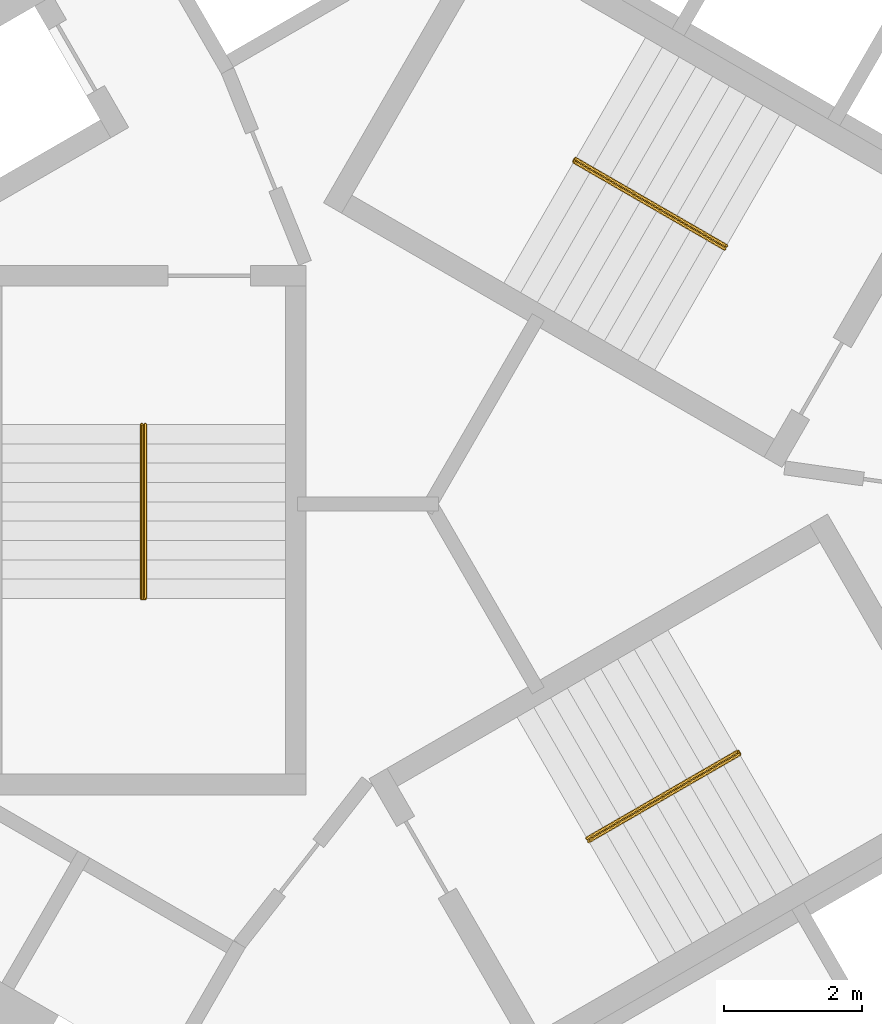
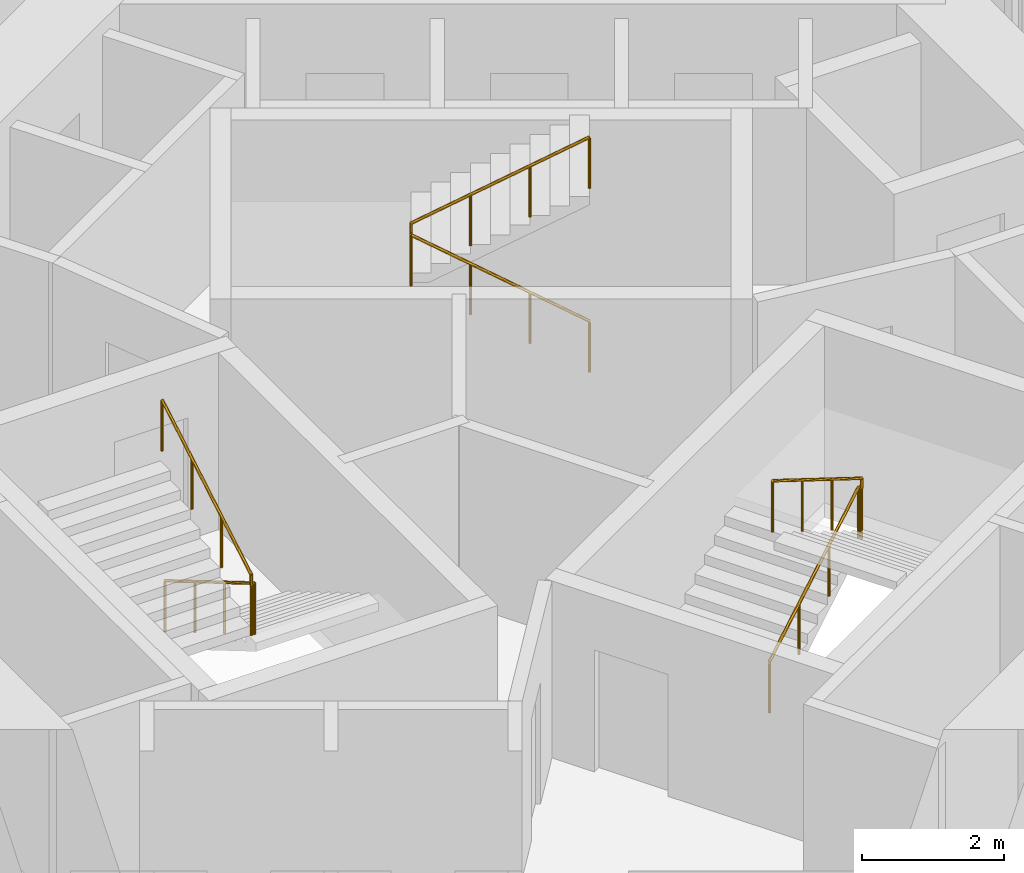
# One storey, part 12 of 12: 3 railings.
"""IFC4 building model written with IfcOpenShell, lengths in metres."""

from ifc_helpers import new_model, si_unit, direction, frame, origin, origin_2d, place, context, subcontext, project, spatial, circle, extrude, material, type_object, element, save


model = new_model("IFC4")

# Units and contexts
model_context = context("Model", 3, precision=1e-05, world=origin(), true_north=direction((0.0, 1.0)))
body_context = subcontext(model_context, "Body", "Model", "MODEL_VIEW")
ifc_project = project(units=[si_unit("LENGTHUNIT", "METRE"), si_unit("AREAUNIT", "SQUARE_METRE"), si_unit("VOLUMEUNIT", "CUBIC_METRE"), si_unit("PLANEANGLEUNIT", "RADIAN"), si_unit("MASSUNIT", "GRAM", prefix="KILO")], contexts=[model_context])

# Site, building, storey
site_placement = place(None, origin())
site = spatial("IfcSite", under=ifc_project, at=site_placement, CompositionType="ELEMENT")
building_placement = place(site_placement, origin())
building = spatial("IfcBuilding", under=site, at=building_placement, Name="Vanh Sen Convention Tower", CompositionType="ELEMENT")
storey_placement = place(building_placement, frame((0.0, 0.0, 106.699951171875)))
storey = spatial("IfcBuildingStorey", under=building, at=storey_placement, Name="L25", CompositionType="ELEMENT", Elevation=106.699951171875)

# Railings
ifc_material = material(Name="Stainless steel handrail", Category="steel")
railing_type = type_object("IfcRailingType", Name="Stair handrail 900", PredefinedType="HANDRAIL", material=ifc_material)
railing_1_placement = place(storey_placement, frame((3.45849609375, 3.690185546875, 0.1650390625)))
element("IfcRailing", 1, at=railing_1_placement, inside=storey, type_object=railing_type, Name="Stair handrail ST1 L25", PredefinedType="HANDRAIL", context=body_context, shape_type="SweptSolid", body=[
    extrude(circle(Radius=0.02392578125, at=origin_2d()), frame((0.0, 0.0, 0.8759765625), z_axis=(-0.746134546661, 0.430738299252, 0.507688640642), x_axis=(-0.499962843328, -0.866046855136, 0.0)), (0.0, 0.0, 1.0), 2.92529296875),
    extrude(circle(Radius=0.02392578125, at=origin_2d()), frame((-2.1826171875, 1.260009765625, 2.36083984375), z_axis=(0.502959906984, 0.86430974307, 0.0), x_axis=(-0.86430974307, 0.502959906984, 0.0)), (0.0, 0.0, 1.0), 0.050048828125),
    extrude(circle(Radius=0.02392578125, at=origin_2d()), frame((-2.157470703125, 1.30322265625, 2.36083984375), z_axis=(0.0, 0.0, 1.0), x_axis=(1.0, 0.0, 0.0)), (0.0, 0.0, 1.0), 0.164794921875),
    extrude(circle(Radius=0.02392578125, at=origin_2d()), frame((-2.157470703125, 1.30322265625, 2.52587890625), z_axis=(0.746097546679, -0.430765123438, 0.507720256902), x_axis=(0.500004791531, 0.866022637375, 0.0)), (0.0, 0.0, 1.0), 2.925048828125),
    extrude(circle(Radius=0.02099609375, at=origin_2d()), origin(), (0.0, 0.0, 1.0), 0.851806640625),
    extrude(circle(Radius=0.02099609375, at=origin_2d()), frame((-0.7275390625, 0.419921875, 0.4951171875)), (0.0, 0.0, 1.0), 0.851806640625),
    extrude(circle(Radius=0.02099609375, at=origin_2d()), frame((-1.455078125, 0.840087890625, 0.989990234375)), (0.0, 0.0, 1.0), 0.851806640625),
    extrude(circle(Radius=0.02099609375, at=origin_2d()), frame((-2.1826171875, 1.260009765625, 1.485107421875)), (0.0, 0.0, 1.0), 0.851806640625),
    extrude(circle(Radius=0.02099609375, at=origin_2d()), frame((-2.157470703125, 1.30322265625, 1.485107421875)), (0.0, 0.0, 1.0), 0.851806640625),
    extrude(circle(Radius=0.02099609375, at=origin_2d()), frame((-2.157470703125, 1.30322265625, 1.64990234375)), (0.0, 0.0, 1.0), 0.851806640625),
    extrude(circle(Radius=0.02099609375, at=origin_2d()), frame((-1.429931640625, 0.88330078125, 2.14501953125)), (0.0, 0.0, 1.0), 0.851806640625),
    extrude(circle(Radius=0.02099609375, at=origin_2d()), frame((-0.70263671875, 0.463134765625, 2.639892578125)), (0.0, 0.0, 1.0), 0.851806640625),
    extrude(circle(Radius=0.02099609375, at=origin_2d()), frame((0.02490234375, 0.043212890625, 3.135009765625)), (0.0, 0.0, 1.0), 0.851806640625),
])
railing_2_placement = place(storey_placement, frame((-4.925048828125, 1.14990234375, 0.1650390625)))
element("IfcRailing", 2, at=railing_2_placement, inside=storey, type_object=railing_type, Name="Stair handrail ST2 L25", PredefinedType="HANDRAIL", context=body_context, shape_type="SweptSolid", body=[
    extrude(circle(Radius=0.02392578125, at=origin_2d()), frame((0.0, 0.0, 0.8759765625), z_axis=(0.0, -0.86152411907, 0.507716645641), x_axis=(1.0, 0.0, 0.0)), (0.0, 0.0, 1.0), 2.925048828125),
    extrude(circle(Radius=0.02392578125, at=origin_2d()), frame((0.0, -2.52001953125, 2.36083984375), z_axis=(-1.0, 0.0, 0.0), x_axis=(0.0, -1.0, 0.0)), (0.0, 0.0, 1.0), 0.050048828125),
    extrude(circle(Radius=0.02392578125, at=origin_2d()), frame((-0.050048828125, -2.52001953125, 2.36083984375), z_axis=(0.0, 0.0, 1.0), x_axis=(1.0, 0.0, 0.0)), (0.0, 0.0, 1.0), 0.164794921875),
    extrude(circle(Radius=0.02392578125, at=origin_2d()), frame((-0.050048828125, -2.52001953125, 2.52587890625), z_axis=(0.0, 0.86152411907, 0.507716645641), x_axis=(-1.0, 0.0, 0.0)), (0.0, 0.0, 1.0), 2.925048828125),
    extrude(circle(Radius=0.02099609375, at=origin_2d()), origin(), (0.0, 0.0, 1.0), 0.851806640625),
    extrude(circle(Radius=0.02099609375, at=origin_2d()), frame((0.0, -0.840087890625, 0.4951171875)), (0.0, 0.0, 1.0), 0.851806640625),
    extrude(circle(Radius=0.02099609375, at=origin_2d()), frame((0.0, -1.679931640625, 0.989990234375)), (0.0, 0.0, 1.0), 0.851806640625),
    extrude(circle(Radius=0.02099609375, at=origin_2d()), frame((0.0, -2.52001953125, 1.485107421875)), (0.0, 0.0, 1.0), 0.851806640625),
    extrude(circle(Radius=0.02099609375, at=origin_2d()), frame((-0.050048828125, -2.52001953125, 1.485107421875)), (0.0, 0.0, 1.0), 0.851806640625),
    extrude(circle(Radius=0.02099609375, at=origin_2d()), frame((-0.050048828125, -2.52001953125, 1.64990234375)), (0.0, 0.0, 1.0), 0.851806640625),
    extrude(circle(Radius=0.02099609375, at=origin_2d()), frame((-0.050048828125, -1.679931640625, 2.14501953125)), (0.0, 0.0, 1.0), 0.851806640625),
    extrude(circle(Radius=0.02099609375, at=origin_2d()), frame((-0.050048828125, -0.840087890625, 2.639892578125)), (0.0, 0.0, 1.0), 0.851806640625),
    extrude(circle(Radius=0.02099609375, at=origin_2d()), frame((-0.050048828125, 0.0, 3.135009765625)), (0.0, 0.0, 1.0), 0.851806640625),
])
railing_3_placement = place(storey_placement, frame((1.466552734375, -4.840087890625, 0.1650390625)))
element("IfcRailing", 3, at=railing_3_placement, inside=storey, type_object=railing_type, Name="Stair handrail ST3 L25", PredefinedType="HANDRAIL", context=body_context, shape_type="SweptSolid", body=[
    extrude(circle(Radius=0.02392578125, at=origin_2d()), frame((0.0, 0.0, 0.8759765625), z_axis=(0.746097546679, 0.430765123438, 0.507720256902), x_axis=(-0.500004791531, 0.866022637375, 0.0)), (0.0, 0.0, 1.0), 2.925048828125),
    extrude(circle(Radius=0.02392578125, at=origin_2d()), frame((2.182373046875, 1.260009765625, 2.36083984375), z_axis=(0.500844580232, -0.86553723574, 0.0), x_axis=(0.86553723574, 0.500844580232, 0.0)), (0.0, 0.0, 1.0), 0.05029296875),
    extrude(circle(Radius=0.02392578125, at=origin_2d()), frame((2.20751953125, 1.216552734375, 2.36083984375), z_axis=(0.0, 0.0, 1.0), x_axis=(1.0, 0.0, 0.0)), (0.0, 0.0, 1.0), 0.164794921875),
    extrude(circle(Radius=0.02392578125, at=origin_2d()), frame((2.20751953125, 1.216552734375, 2.52587890625), z_axis=(-0.746097546679, -0.430765123438, 0.507720256902), x_axis=(0.500004791531, -0.866022637375, 0.0)), (0.0, 0.0, 1.0), 2.925048828125),
    extrude(circle(Radius=0.02099609375, at=origin_2d()), origin(), (0.0, 0.0, 1.0), 0.851806640625),
    extrude(circle(Radius=0.02099609375, at=origin_2d()), frame((0.7275390625, 0.419921875, 0.4951171875)), (0.0, 0.0, 1.0), 0.851806640625),
    extrude(circle(Radius=0.02099609375, at=origin_2d()), frame((1.454833984375, 0.840087890625, 0.989990234375)), (0.0, 0.0, 1.0), 0.851806640625),
    extrude(circle(Radius=0.02099609375, at=origin_2d()), frame((2.182373046875, 1.260009765625, 1.485107421875)), (0.0, 0.0, 1.0), 0.851806640625),
    extrude(circle(Radius=0.02099609375, at=origin_2d()), frame((2.20751953125, 1.216552734375, 1.485107421875)), (0.0, 0.0, 1.0), 0.851806640625),
    extrude(circle(Radius=0.02099609375, at=origin_2d()), frame((2.20751953125, 1.216552734375, 1.64990234375)), (0.0, 0.0, 1.0), 0.851806640625),
    extrude(circle(Radius=0.02099609375, at=origin_2d()), frame((1.47998046875, 0.796630859375, 2.14501953125)), (0.0, 0.0, 1.0), 0.851806640625),
    extrude(circle(Radius=0.02099609375, at=origin_2d()), frame((0.752685546875, 0.37646484375, 2.639892578125)), (0.0, 0.0, 1.0), 0.851806640625),
    extrude(circle(Radius=0.02099609375, at=origin_2d()), frame((0.025146484375, -0.04345703125, 3.135009765625)), (0.0, 0.0, 1.0), 0.851806640625),
])

save(model, "model.ifc")
